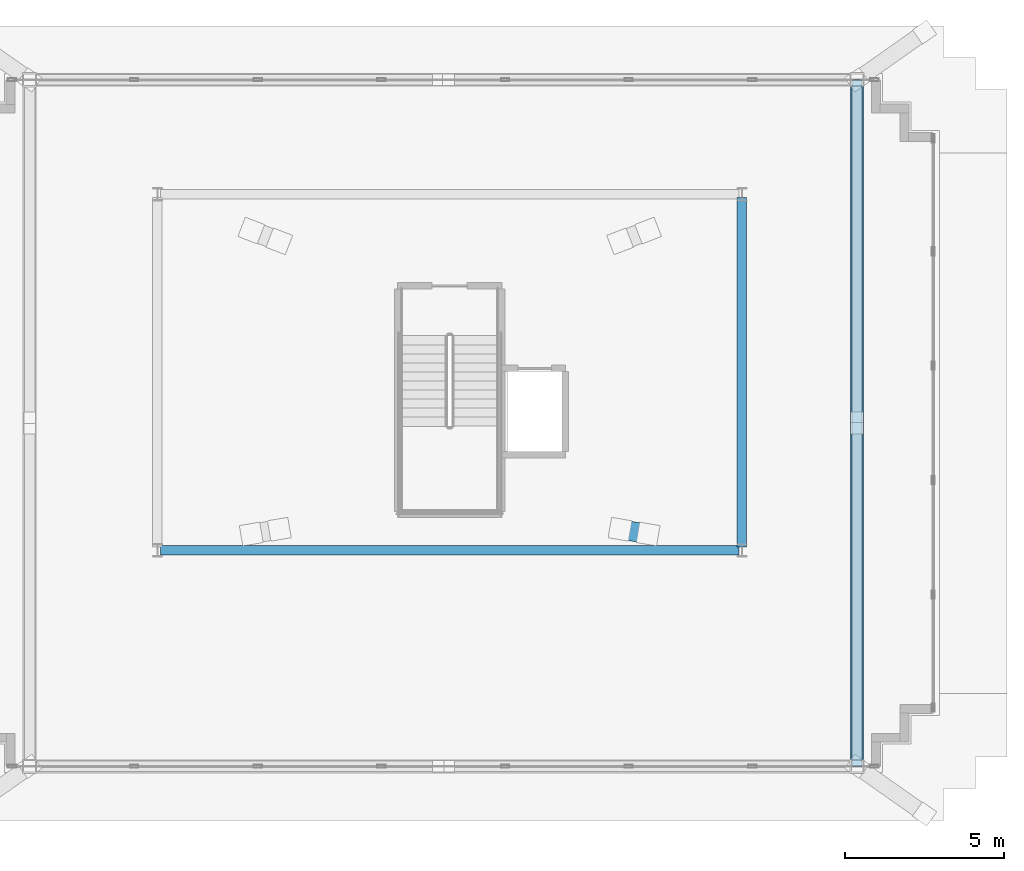
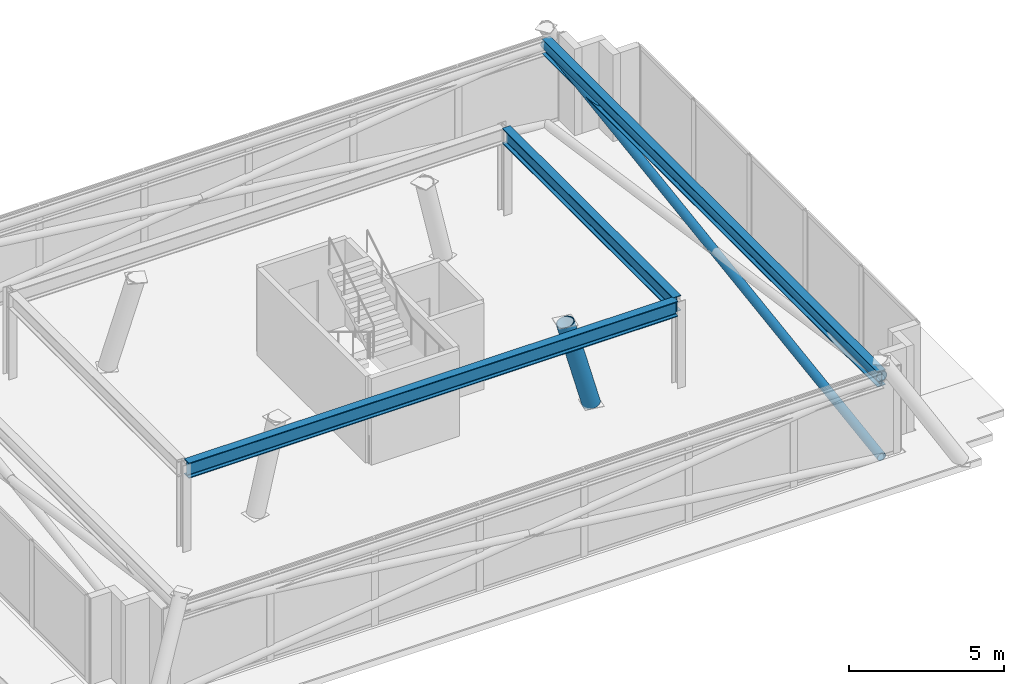
# One storey, part 6 of 15: 3 beams, 3 members.
"""IFC4 building model written with IfcOpenShell, lengths in metres."""

from ifc_helpers import new_model, si_unit, direction, frame, origin, origin_2d, place, context, subcontext, project, spatial, hollow_circle, i_section, extrude, material, material_profile, profile_set, type_object, element, save


model = new_model("IFC4")

# Units and contexts
model_context = context("Model", 3, precision=1e-05, world=origin(), true_north=direction((0.0, 1.0)))
body_context = subcontext(model_context, "Body", "Model", "MODEL_VIEW")
ifc_project = project(units=[si_unit("LENGTHUNIT", "METRE"), si_unit("AREAUNIT", "SQUARE_METRE"), si_unit("VOLUMEUNIT", "CUBIC_METRE"), si_unit("PLANEANGLEUNIT", "RADIAN"), si_unit("MASSUNIT", "GRAM", prefix="KILO")], contexts=[model_context])

# Site, building, storey
site_placement = place(None, origin())
site = spatial("IfcSite", under=ifc_project, at=site_placement, CompositionType="ELEMENT")
building_placement = place(site_placement, origin())
building = spatial("IfcBuilding", under=site, at=building_placement, Name="Qobustan Lattice House", CompositionType="ELEMENT")
storey_placement = place(building_placement, frame((0.0, 0.0, 281.60009765625)))
storey = spatial("IfcBuildingStorey", under=building, at=storey_placement, Name="L79", CompositionType="ELEMENT", Elevation=281.60009765625)

# Beams
ifc_material_1 = material(Name="Steel S355", Category="steel")
ifc_material_profile_1 = material_profile(ifc_material_1, i_section(OverallWidth=0.300048828125, OverallDepth=0.60009765625, WebThickness=0.015380859375, FlangeThickness=0.030029296875, FilletRadius=0.027099609375, at=origin_2d()), Name="HEB600")
ifc_profile_set_1 = profile_set([ifc_material_profile_1], Name="Steel S355")
beam_type = type_object("IfcBeamType", Name="BM-POD-HEB600", PredefinedType="USERDEFINED", material=ifc_profile_set_1)
beam_1_placement = place(storey_placement, frame((-9.10009765625, -5.60009765625, 3.099853515625), z_axis=(1.0, 0.0, 0.0), x_axis=(0.0, 1.0, 0.0)))
element("IfcBeam", 1, at=beam_1_placement, inside=storey, type_object=beam_type, Name="L79 crown support ring girder 1", ObjectType="GIRDER", PredefinedType="USERDEFINED", context=body_context, shape_type="SweptSolid", body=[
    extrude(i_section(OverallWidth=0.300048828125, OverallDepth=0.60009765625, WebThickness=0.015380859375, FlangeThickness=0.030029296875, FilletRadius=0.027099609375, at=origin_2d()), origin(), (0.0, 0.0, 1.0), 18.2001953125),
])
beam_2_placement = place(storey_placement, frame((9.199951171875, -5.5, 3.099853515625), z_axis=(0.0, 1.0, 0.0), x_axis=(-1.0, 0.0, 0.0)))
element("IfcBeam", 2, at=beam_2_placement, inside=storey, type_object=beam_type, Name="L79 crown support ring girder 2", ObjectType="GIRDER", PredefinedType="USERDEFINED", context=body_context, shape_type="SweptSolid", body=[
    extrude(i_section(OverallWidth=0.300048828125, OverallDepth=0.60009765625, WebThickness=0.015380859375, FlangeThickness=0.030029296875, FilletRadius=0.027099609375, at=origin_2d()), origin(), (0.0, 0.0, 1.0), 11.0),
])
beam_3_placement = place(storey_placement, frame((12.820068359375, -12.405029296875, 3.099853515625), z_axis=(0.0, 1.0, 0.0), x_axis=(-1.0, 0.0, 0.0)))
element("IfcBeam", 3, at=beam_3_placement, inside=storey, type_object=beam_type, Name="L79 crown perimeter ring beam 2", ObjectType="GIRDER", PredefinedType="USERDEFINED", context=body_context, shape_type="SweptSolid", body=[
    extrude(i_section(OverallWidth=0.300048828125, OverallDepth=0.60009765625, WebThickness=0.015380859375, FlangeThickness=0.030029296875, FilletRadius=0.027099609375, at=origin_2d()), origin(), (0.0, 0.0, 1.0), 21.610107421875),
])

# Members
ifc_material_2 = material(Name="Steel S355", Category="steel")
ifc_material_profile_2 = material_profile(ifc_material_2, hollow_circle(Radius=0.161865234375, WallThickness=0.012451171875, at=origin_2d()), Name="CHS323.9x12.5")
ifc_profile_set_2 = profile_set([ifc_material_profile_2], Name="Steel S355")
member_type_1 = type_object("IfcMemberType", Name="MEM-CBR-CHS324", PredefinedType="BRACE", material=ifc_profile_set_2)
member_1_placement = place(storey_placement, frame((12.820068359375, -12.405029296875, 0.014892578125), z_axis=(0.0, 0.989444104411, 0.144915024228), x_axis=(-1.0, 0.0, 0.0)))
element("IfcMember", 4, at=member_1_placement, inside=storey, type_object=member_type_1, Name="L79 crown diagrid continuous brace 2A", PredefinedType="BRACE", context=body_context, shape_type="SweptSolid", body=[
    extrude(hollow_circle(Radius=0.161865234375, WallThickness=0.012451171875, at=origin_2d()), origin(), (0.0, 0.0, 1.0), 21.840576171875),
])
ifc_material_3 = material(Name="Steel S355", Category="steel")
ifc_material_profile_3 = material_profile(ifc_material_3, hollow_circle(Radius=0.203125, WallThickness=0.01611328125, at=origin_2d()), Name="CHS406.4x16")
ifc_profile_set_3 = profile_set([ifc_material_profile_3], Name="Steel S355")
member_type_2 = type_object("IfcMemberType", Name="MEM-RNG-CHS406", PredefinedType="CHORD", material=ifc_profile_set_3)
member_2_placement = place(storey_placement, frame((12.820068359375, -12.405029296875, 3.179931640625), z_axis=(0.0, 1.0, 0.0), x_axis=(-1.0, 0.0, 0.0)))
element("IfcMember", 5, at=member_2_placement, inside=storey, type_object=member_type_2, Name="L79 crown ring chord 2", PredefinedType="CHORD", context=body_context, shape_type="SweptSolid", body=[
    extrude(hollow_circle(Radius=0.203125, WallThickness=0.01611328125, at=origin_2d()), origin(), (0.0, 0.0, 1.0), 21.610107421875),
])
ifc_material_4 = material(Name="Steel S355", Category="steel")
ifc_material_profile_4 = material_profile(ifc_material_4, hollow_circle(Radius=0.304931640625, WallThickness=0.02490234375, at=origin_2d()), Name="CHS610x25")
ifc_profile_set_4 = profile_set([ifc_material_profile_4], Name="Steel S355")
member_type_3 = type_object("IfcMemberType", Name="MEM-SPR-CHS610", PredefinedType="USERDEFINED", material=ifc_profile_set_4)
member_3_placement = place(storey_placement, frame((6.244384765625, -5.09326171875, 0.0), z_axis=(-0.250701253102, 0.042987278579, 0.967109598532), x_axis=(-0.169001704881, -0.985615758674, 0.0)))
element("IfcMember", 6, at=member_3_placement, inside=storey, type_object=member_type_3, Name="L79 crown spire leg SL2", ObjectType="CROWN FRAME", PredefinedType="USERDEFINED", context=body_context, shape_type="SweptSolid", body=[
    extrude(hollow_circle(Radius=0.304931640625, WallThickness=0.02490234375, at=origin_2d()), origin(), (0.0, 0.0, 1.0), 3.515625),
])

save(model, "model.ifc")
